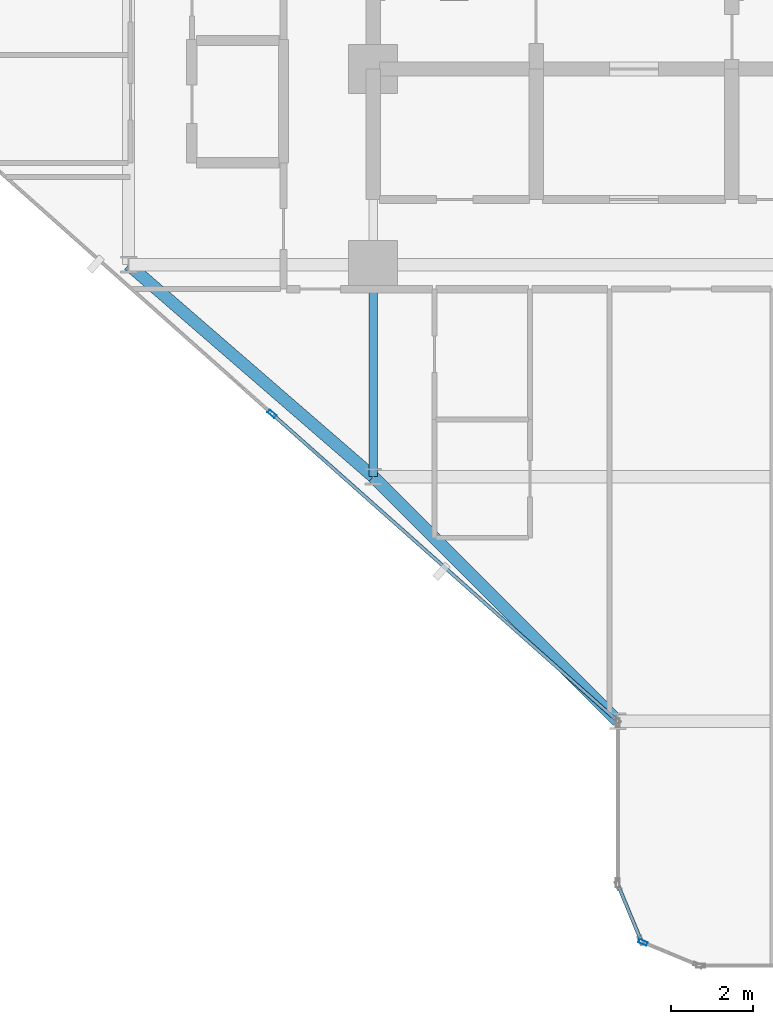
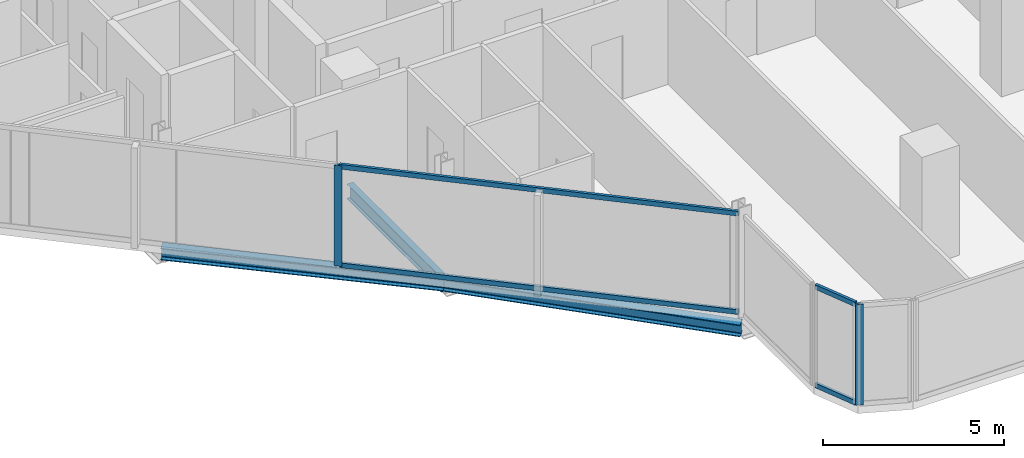
# One storey, part 3 of 34: 6 members, 3 beams, 3 elements without a shape of their own.
"""IFC4 building model written with IfcOpenShell, lengths in metres."""

import ifcopenshell
import ifcopenshell.guid

model = None  # the IFC model being written
_history = None  # IfcOwnerHistory: only IFC2X3 demands one
_inside = {}  # id of a spatial element -> (the spatial element, [elements in it])
_under = {}  # id of a project, library or spatial element -> (it, [spatial elements below it])
_declared = {}  # id of a project -> (the project, [libraries it declares])
_typed = {}  # id of a type object -> (the type object, [elements of that type])
_made_of = {}  # id of a material, layer set ... -> (it, [elements and type objects made of it])


def new_model(schema):
    """Start an empty IFC model of exactly this schema.

    Asked for "IFC4X3", IfcOpenShell would pick the latest addendum, in which some entities
    have other attributes; the version numbers below select the first issue.
    IFC2X3 requires an IfcOwnerHistory on every rooted entity: one is made here for all.
    """
    global model, _history
    if schema == "IFC4X3":
        model = ifcopenshell.file(schema_version=(4, 3, 0, 0))
    else:
        model = ifcopenshell.file(schema=schema)
    _inside.clear()
    _under.clear()
    _declared.clear()
    _typed.clear()
    _made_of.clear()
    _history = None
    if model.schema == "IFC2X3":
        org = make("IfcOrganization", Name="unknown")
        user = make(
            "IfcPersonAndOrganization",
            ThePerson=make("IfcPerson", FamilyName="unknown"),
            TheOrganization=org,
        )
        app = make(
            "IfcApplication",
            ApplicationDeveloper=org,
            Version="unknown",
            ApplicationFullName="unknown",
            ApplicationIdentifier="unknown",
        )
        _history = make(
            "IfcOwnerHistory",
            OwningUser=user,
            OwningApplication=app,
            ChangeAction="ADDED",
            CreationDate=0,
        )
    return model


def make(cls, **values):
    """One entity of the class cls with the attributes given. An attribute that is None is left unset."""
    return model.create_entity(
        cls, **{name: value for name, value in values.items() if value is not None}
    )


def rooted(cls, **values):
    """An entity with a GlobalId (a new one), such as an element, a storey or a relation."""
    return make(cls, GlobalId=ifcopenshell.guid.new(), OwnerHistory=_history, **values)


def si_unit(unit_type, name, prefix=None):
    """IfcSIUnit, for example si_unit("LENGTHUNIT", "METRE", prefix="MILLI")."""
    return make("IfcSIUnit", UnitType=unit_type, Prefix=prefix, Name=name)


def assignment(units):
    """IfcUnitAssignment: the units of a project."""
    return None if units is None else make("IfcUnitAssignment", Units=units)


def point(xyz):
    """IfcCartesianPoint."""
    return None if xyz is None else make("IfcCartesianPoint", Coordinates=xyz)


def direction(xyz):
    """IfcDirection."""
    return None if xyz is None else make("IfcDirection", DirectionRatios=xyz)


def frame(location, z_axis=None, x_axis=None):
    """IfcAxis2Placement3D, a coordinate frame: its origin and axes. An axis left out is left unset."""
    return make(
        "IfcAxis2Placement3D",
        Location=point(location),
        Axis=direction(z_axis),
        RefDirection=direction(x_axis),
    )


def frame_2d(location, x_axis=None):
    """IfcAxis2Placement2D, a coordinate frame in the plane: its origin and x axis."""
    return make(
        "IfcAxis2Placement2D", Location=point(location), RefDirection=direction(x_axis)
    )


def origin():
    """The frame at (0, 0, 0) with its axes left unset."""
    return frame((0.0, 0.0, 0.0))


def origin_2d():
    """The frame at (0, 0) in the plane with its x axis left unset."""
    return frame_2d((0.0, 0.0))


def place(relative_to, where):
    """IfcLocalPlacement: puts the frame where relative to a parent placement (None: the world)."""
    return make(
        "IfcLocalPlacement", PlacementRelTo=relative_to, RelativePlacement=where
    )


def context(
    kind, dimensions, precision=None, world=None, true_north=None, identifier=None
):
    """IfcGeometricRepresentationContext, for example the 3D "Model" context."""
    return make(
        "IfcGeometricRepresentationContext",
        ContextIdentifier=identifier,
        ContextType=kind,
        CoordinateSpaceDimension=dimensions,
        Precision=precision,
        WorldCoordinateSystem=world,
        TrueNorth=true_north,
    )


def subcontext(parent, identifier, kind, view, scale=None):
    """IfcGeometricRepresentationSubContext, for example "Body" below "Model"."""
    return make(
        "IfcGeometricRepresentationSubContext",
        ContextIdentifier=identifier,
        ContextType=kind,
        ParentContext=parent,
        TargetScale=scale,
        TargetView=view,
    )


def project(units=None, contexts=None):
    """IfcProject with its units and contexts."""
    return rooted(
        "IfcProject",
        Name="project",
        RepresentationContexts=contexts,
        UnitsInContext=assignment(units),
    )


def spatial(cls, under=None, at=None, **own):
    """A site, building, storey or space (cls), placed at a placement, below another one or the project."""
    s = rooted(cls, ObjectPlacement=at, **own)
    if under is not None:
        _under.setdefault(under.id(), (under, []))[1].append(s)
    return s


def profile(cls, at=None, kind="AREA", **sizes):
    """A parametric profile (cls). Its sizes go by their IFC names, for example OverallWidth=200.0."""
    return make(cls, ProfileType=kind, Position=at, **sizes)


def hollow_rectangle(**sizes):
    """IfcRectangleHollowProfileDef."""
    return profile("IfcRectangleHollowProfileDef", **sizes)


def i_section(**sizes):
    """IfcIShapeProfileDef."""
    return profile("IfcIShapeProfileDef", **sizes)


def extrude(swept, where, along, depth):
    """IfcExtrudedAreaSolid: the profile swept, set in the frame where, extruded along a direction by depth."""
    return make(
        "IfcExtrudedAreaSolid",
        SweptArea=swept,
        Position=where,
        ExtrudedDirection=direction(along),
        Depth=depth,
    )


def shape(context_of_items, identifier, shape_type, items):
    """IfcShapeRepresentation: the items that make up one representation, for example the "Body"."""
    return make(
        "IfcShapeRepresentation",
        ContextOfItems=context_of_items,
        RepresentationIdentifier=identifier,
        RepresentationType=shape_type,
        Items=items,
    )


def material(Name=None, Category=None):
    """IfcMaterial."""
    return make("IfcMaterial", Name=Name, Category=Category)


def layer(
    of_material, thickness, ventilated=None, Name=None, Category=None, Priority=None
):
    """IfcMaterialLayer: one layer of a wall or slab, of a material (None: an air gap)."""
    return make(
        "IfcMaterialLayer",
        Material=of_material,
        LayerThickness=thickness,
        IsVentilated=ventilated,
        Name=Name,
        Category=Category,
        Priority=Priority,
    )


def layer_set(layers, Name=None):
    """IfcMaterialLayerSet."""
    return make("IfcMaterialLayerSet", MaterialLayers=layers, LayerSetName=Name)


def material_profile(
    of_material, cross_section, Name=None, Category=None, Priority=None
):
    """IfcMaterialProfile: a cross section and its material."""
    return make(
        "IfcMaterialProfile",
        Name=Name,
        Material=of_material,
        Profile=cross_section,
        Priority=Priority,
        Category=Category,
    )


def profile_set(profiles, Name=None, composite=None):
    """IfcMaterialProfileSet."""
    return make(
        "IfcMaterialProfileSet",
        Name=Name,
        MaterialProfiles=profiles,
        CompositeProfile=composite,
    )


def made_of(thing, what):
    """Note that an element or type object is made of a material, layer set ...; save() writes the relation."""
    if what is not None:
        _made_of.setdefault(what.id(), (what, []))[1].append(thing)
    return thing


def type_object(cls, material=None, **own):
    """A type object (cls), such as IfcWallType, which elements share."""
    return made_of(rooted(cls, **own), material)


def element(
    cls,
    number,
    at=None,
    inside=None,
    cuts=None,
    type_object=None,
    material=None,
    context=None,
    identifier="Body",
    shape_type=None,
    held_by="IfcProductDefinitionShape",
    body=None,
    shapes=None,
    **own,
):
    """One element of the class cls, such as IfcWall. Its Tag is "e" and its number.

    at: its placement. inside: the storey or other place that contains it. cuts: it is an
    opening in that element (IfcRelVoidsElement). A single representation is given by context,
    identifier, shape_type and body (its items); several are given by shapes. held_by: the class
    of the entity that holds the representations. save() writes the other relations.
    """
    e = rooted(cls, Tag="e%d" % number, ObjectPlacement=at, **own)
    if body is not None:
        shapes = [shape(context, identifier, shape_type, body)]
    if shapes is not None:
        e.Representation = make(held_by, Representations=shapes)
    if inside is not None:
        _inside.setdefault(inside.id(), (inside, []))[1].append(e)
    if cuts is not None:
        rooted(
            "IfcRelVoidsElement", RelatingBuildingElement=cuts, RelatedOpeningElement=e
        )
    if type_object is not None:
        _typed.setdefault(type_object.id(), (type_object, []))[1].append(e)
    return made_of(e, material)


def aggregate(whole, parts):
    """IfcRelAggregates: a whole, such as a stair, and the parts it consists of."""
    return rooted("IfcRelAggregates", RelatingObject=whole, RelatedObjects=parts)


def save(model, path):
    """Write the relations noted so far, then the file.

    IfcRelAggregates (storeys below a building ...), IfcRelContainedInSpatialStructure (elements
    in a storey), IfcRelDefinesByType, IfcRelAssociatesMaterial and IfcRelDeclares: one each for
    every whole, place, type object, material and project.
    """
    for whole, parts in _under.values():
        aggregate(whole, parts)
    for where, things in _inside.values():
        rooted(
            "IfcRelContainedInSpatialStructure",
            RelatedElements=things,
            RelatingStructure=where,
        )
    for kind, things in _typed.values():
        rooted("IfcRelDefinesByType", RelatedObjects=things, RelatingType=kind)
    for what, things in _made_of.values():
        rooted("IfcRelAssociatesMaterial", RelatedObjects=things, RelatingMaterial=what)
    for by, libraries in _declared.values():
        rooted("IfcRelDeclares", RelatingContext=by, RelatedDefinitions=libraries)
    model.write(path)


model = new_model("IFC4")

# Units and contexts
model_context = context("Model", 3, precision=1e-05, world=origin(), true_north=direction((0.0, 1.0)))
body_context = subcontext(model_context, "Body", "Model", "MODEL_VIEW")
ifc_project = project(units=[si_unit("LENGTHUNIT", "METRE"), si_unit("AREAUNIT", "SQUARE_METRE"), si_unit("VOLUMEUNIT", "CUBIC_METRE"), si_unit("PLANEANGLEUNIT", "RADIAN"), si_unit("MASSUNIT", "GRAM", prefix="KILO")], contexts=[model_context])

# Site, building, storey
site_placement = place(None, origin())
site = spatial("IfcSite", under=ifc_project, at=site_placement, CompositionType="ELEMENT")
building_placement = place(site_placement, origin())
building = spatial("IfcBuilding", under=site, at=building_placement, Name="Keshet Zoharim Tower", CompositionType="ELEMENT")
storey_placement = place(building_placement, frame((0.0, 0.0, 70.10009765625)))
storey = spatial("IfcBuildingStorey", under=building, at=storey_placement, Name="L16", CompositionType="ELEMENT", Elevation=70.10009765625)

# Beams
ifc_material_1 = material(Name="Steel S355", Category="steel")
ifc_material_profile_1 = material_profile(ifc_material_1, i_section(OverallWidth=0.199951171875, OverallDepth=0.5, WebThickness=0.01025390625, FlangeThickness=0.01611328125, FilletRadius=0.02099609375, at=origin_2d()), Name="IPE500")
ifc_profile_set_1 = profile_set([ifc_material_profile_1], Name="Steel S355")
beam_type_1 = type_object("IfcBeamType", Name="BM-PRI-IP500", PredefinedType="BEAM", material=ifc_profile_set_1)
beam_1_placement = place(storey_placement, frame((15.0, 12.699951171875, -0.565185546875), z_axis=(0.0, 1.0, 0.0), x_axis=(-1.0, 0.0, 0.0)))
element("IfcBeam", 1, at=beam_1_placement, inside=storey, type_object=beam_type_1, Name="L16 Primary Girder Y-002", PredefinedType="BEAM", context=body_context, shape_type="SweptSolid", body=[
    extrude(i_section(OverallWidth=0.199951171875, OverallDepth=0.5, WebThickness=0.01025390625, FlangeThickness=0.01611328125, FilletRadius=0.02099609375, at=origin_2d()), origin(), (0.0, 0.0, 1.0), 5.199951171875),
])
ifc_material_profile_2 = material_profile(ifc_material_1, i_section(OverallWidth=0.300048828125, OverallDepth=0.39990234375, WebThickness=0.013427734375, FlangeThickness=0.02392578125, FilletRadius=0.027099609375, at=origin_2d()), Name="HEB400")
ifc_profile_set_2 = profile_set([ifc_material_profile_2], Name="Steel S355")
beam_type_2 = type_object("IfcBeamType", Name="BM-SPN-HB400", PredefinedType="SPANDREL", material=ifc_profile_set_2)
beam_2_placement = place(storey_placement, frame((21.0, 6.699951171875, -0.51513671875), z_axis=(-0.707106781187, 0.707106781187, 0.0), x_axis=(-0.707106781187, -0.707106781187, 0.0)))
element("IfcBeam", 2, at=beam_2_placement, inside=storey, type_object=beam_type_2, Name="L16 Perimeter Spandrel Beam 01", PredefinedType="SPANDREL", context=body_context, shape_type="SweptSolid", body=[
    extrude(i_section(OverallWidth=0.300048828125, OverallDepth=0.39990234375, WebThickness=0.013427734375, FlangeThickness=0.02392578125, FilletRadius=0.027099609375, at=origin_2d()), origin(), (0.0, 0.0, 1.0), 8.4853515625),
])
beam_3_placement = place(storey_placement, frame((9.0, 17.89990234375, -0.51513671875), z_axis=(0.755692126483, -0.654927026447, 0.0), x_axis=(0.654927026447, 0.755692126483, 0.0)))
element("IfcBeam", 3, at=beam_3_placement, inside=storey, type_object=beam_type_2, Name="L16 Perimeter Spandrel Beam 02", PredefinedType="SPANDREL", context=body_context, shape_type="SweptSolid", body=[
    extrude(i_section(OverallWidth=0.300048828125, OverallDepth=0.39990234375, WebThickness=0.013427734375, FlangeThickness=0.02392578125, FilletRadius=0.027099609375, at=origin_2d()), origin(), (0.0, 0.0, 1.0), 7.939697265625),
])

# Curtain wall, member
ifc_material_2 = material(Name="Aluminium 6063-T6", Category="aluminium")
ifc_layer = layer(ifc_material_2, 0.179931640625)
ifc_layer_set = layer_set([ifc_layer], Name="Aluminium 6063-T6")
curtain_wall_type = type_object("IfcCurtainWallType", Name="CW-SYS-01", PredefinedType="NOTDEFINED", material=ifc_layer_set)
curtain_wall_1_placement = place(storey_placement, origin())
curtain_wall_1 = element("IfcCurtainWall", 4, at=curtain_wall_1_placement, inside=storey, type_object=curtain_wall_type, Name="L16 Unitised Curtain Wall 01", PredefinedType="NOTDEFINED")
ifc_material_profile_3 = material_profile(ifc_material_2, hollow_rectangle(XDim=0.090087890625, YDim=0.219970703125, WallThickness=0.0048828125, at=origin_2d()), Name="MUL-90x220")
ifc_profile_set_3 = profile_set([ifc_material_profile_3], Name="Aluminium 6063-T6")
member_type_1 = type_object("IfcMemberType", Name="CWM-M22", PredefinedType="MULLION", material=ifc_profile_set_3)
member_1_placement = place(storey_placement, frame((12.517578125, 14.239990234375, 0.0), z_axis=(0.0, 0.0, 1.0), x_axis=(-0.664363838836, -0.747409318679, 0.0)))
member_1 = element("IfcMember", 5, at=member_1_placement, type_object=member_type_1, Name="CW-01 mullion 2", PredefinedType="MULLION", context=body_context, shape_type="SweptSolid", body=[
    extrude(hollow_rectangle(XDim=0.090087890625, YDim=0.219970703125, WallThickness=0.0048828125, at=origin_2d()), origin(), (0.0, 0.0, 1.0), 3.385009765625),
])

curtain_wall_2_placement = place(storey_placement, origin())
curtain_wall_2 = element("IfcCurtainWall", 6, at=curtain_wall_2_placement, inside=storey, type_object=curtain_wall_type, Name="L16 Unitised Curtain Wall 27", PredefinedType="NOTDEFINED")
member_2_placement = place(storey_placement, frame((21.618408203125, 1.272705078125, 0.0), z_axis=(0.0, 0.0, 1.0), x_axis=(-0.382851849847, -0.92380975372, 0.0)))
member_2 = element("IfcMember", 7, at=member_2_placement, type_object=member_type_1, Name="CW-01 mullion 2", PredefinedType="MULLION", context=body_context, shape_type="SweptSolid", body=[
    extrude(hollow_rectangle(XDim=0.090087890625, YDim=0.219970703125, WallThickness=0.0048828125, at=origin_2d()), origin(), (0.0, 0.0, 1.0), 3.385009765625),
])
aggregate(curtain_wall_2, [member_2])

# Member
ifc_material_profile_4 = material_profile(ifc_material_2, hollow_rectangle(XDim=0.0849609375, YDim=0.159912109375, WallThickness=0.00439453125, at=origin_2d()), Name="TRN-85x160")
ifc_profile_set_4 = profile_set([ifc_material_profile_4], Name="Aluminium 6063-T6")
member_type_2 = type_object("IfcMemberType", Name="CWT-T16", PredefinedType="USERDEFINED", material=ifc_profile_set_4)
member_3_placement = place(storey_placement, frame((20.94775390625, 6.74658203125, 0.034912109375), z_axis=(-0.747411714548, 0.664361143472, 0.0), x_axis=(-0.664361143472, -0.747411714548, 0.0)))
member_3 = element("IfcMember", 8, at=member_3_placement, type_object=member_type_2, Name="CW-01 transom 1.1", ObjectType="TRANSOM", PredefinedType="USERDEFINED", context=body_context, shape_type="SweptSolid", body=[
    extrude(hollow_rectangle(XDim=0.0849609375, YDim=0.159912109375, WallThickness=0.00439453125, at=origin_2d()), origin(), (0.0, 0.0, 1.0), 11.244140625),
])

member_4_placement = place(storey_placement, frame((20.94775390625, 6.74658203125, 3.349853515625), z_axis=(-0.747411714548, 0.664361143472, 0.0), x_axis=(-0.664361143472, -0.747411714548, 0.0)))
member_4 = element("IfcMember", 9, at=member_4_placement, type_object=member_type_2, Name="CW-01 transom 1.2", ObjectType="TRANSOM", PredefinedType="USERDEFINED", context=body_context, shape_type="SweptSolid", body=[
    extrude(hollow_rectangle(XDim=0.0849609375, YDim=0.159912109375, WallThickness=0.00439453125, at=origin_2d()), origin(), (0.0, 0.0, 1.0), 11.244140625),
])

aggregate(curtain_wall_1, [member_1, member_3, member_4])

# Curtain wall, members
curtain_wall_3_placement = place(storey_placement, origin())
curtain_wall_3 = element("IfcCurtainWall", 10, at=curtain_wall_3_placement, inside=storey, type_object=curtain_wall_type, Name="L16 Unitised Curtain Wall 28", PredefinedType="NOTDEFINED")
member_5_placement = place(storey_placement, frame((21.55908203125, 1.3505859375, 0.034912109375), z_axis=(-0.382744609247, 0.923854189844, 0.0), x_axis=(-0.923854189844, -0.382744609247, 0.0)))
member_5 = element("IfcMember", 11, at=member_5_placement, type_object=member_type_2, Name="CW-01 transom 1.1", ObjectType="TRANSOM", PredefinedType="USERDEFINED", context=body_context, shape_type="SweptSolid", body=[
    extrude(hollow_rectangle(XDim=0.0849609375, YDim=0.159912109375, WallThickness=0.00439453125, at=origin_2d()), origin(), (0.0, 0.0, 1.0), 1.390625),
])
member_6_placement = place(storey_placement, frame((21.55908203125, 1.3505859375, 3.349853515625), z_axis=(-0.382744609247, 0.923854189844, 0.0), x_axis=(-0.923854189844, -0.382744609247, 0.0)))
member_6 = element("IfcMember", 12, at=member_6_placement, type_object=member_type_2, Name="CW-01 transom 1.2", ObjectType="TRANSOM", PredefinedType="USERDEFINED", context=body_context, shape_type="SweptSolid", body=[
    extrude(hollow_rectangle(XDim=0.0849609375, YDim=0.159912109375, WallThickness=0.00439453125, at=origin_2d()), origin(), (0.0, 0.0, 1.0), 1.390625),
])
aggregate(curtain_wall_3, [member_5, member_6])

save(model, "model.ifc")
